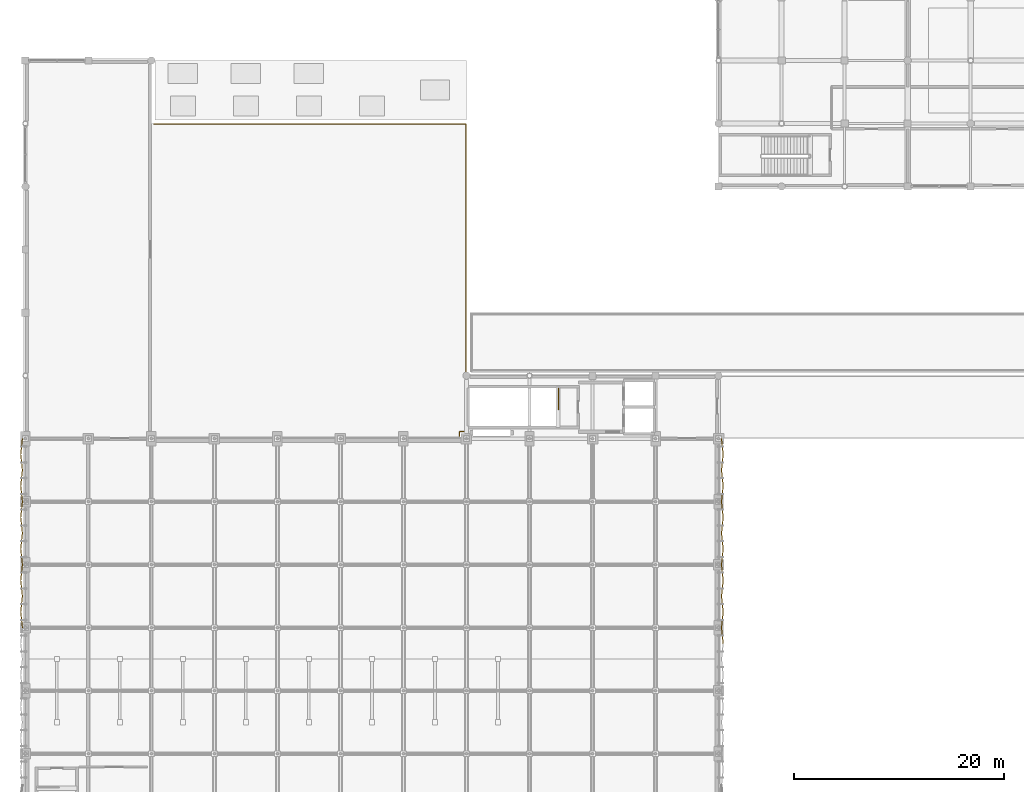
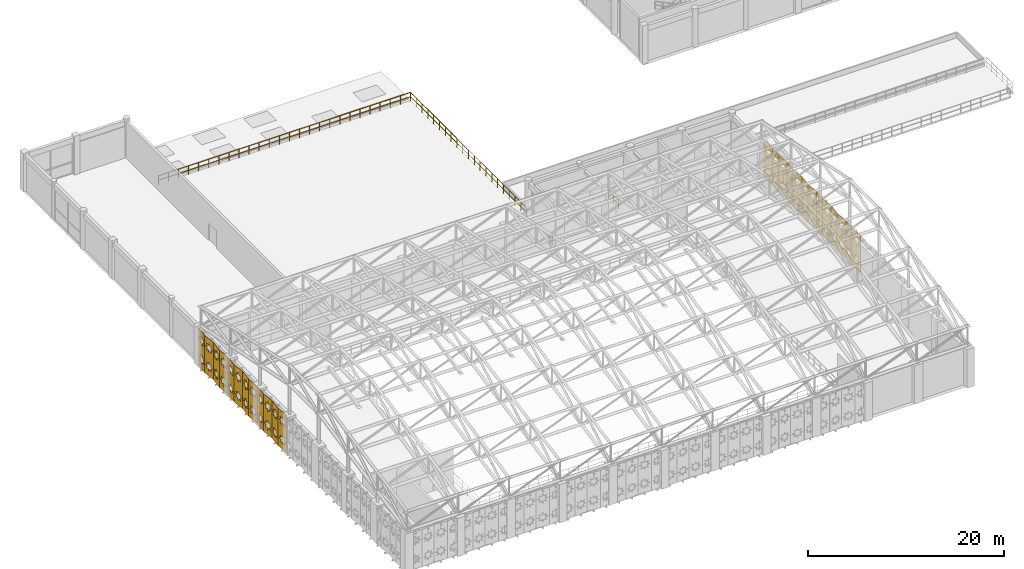
# One storey, part 108 of 112: 25 coverings, 3 railings.
"""IFC4 building model written with IfcOpenShell, lengths in metres."""

from ifc_helpers import new_model, si_unit, direction, frame, origin, origin_2d, place, context, subcontext, project, spatial, polyline, circle, outline, extrude, material, layer, layer_set, type_object, element, save


model = new_model("IFC4")

# Units and contexts
model_context = context("Model", 3, precision=1e-05, world=origin(), true_north=direction((0.0, 1.0)))
body_context = subcontext(model_context, "Body", "Model", "MODEL_VIEW")
ifc_project = project(units=[si_unit("LENGTHUNIT", "METRE"), si_unit("AREAUNIT", "SQUARE_METRE"), si_unit("VOLUMEUNIT", "CUBIC_METRE"), si_unit("PLANEANGLEUNIT", "RADIAN"), si_unit("MASSUNIT", "GRAM", prefix="KILO"), si_unit("THERMODYNAMICTEMPERATUREUNIT", "KELVIN"), si_unit("POWERUNIT", "WATT")], contexts=[model_context])

# Site, building, storey
site_placement = place(None, origin())
site = spatial("IfcSite", under=ifc_project, at=site_placement, CompositionType="ELEMENT")
building_placement = place(site_placement, origin())
building = spatial("IfcBuilding", under=site, at=building_placement, Name="Phaisarnlok Congress Hotel", CompositionType="ELEMENT")
storey_placement = place(building_placement, frame((0.0, 0.0, 19.800048828125)))
storey = spatial("IfcBuildingStorey", under=building, at=storey_placement, Name="L04", CompositionType="ELEMENT", Elevation=19.800048828125)

# Coverings
ifc_material_1 = material(Name="PVDF White Perforated Aluminium Alloy 5052", Category="aluminium")
ifc_layer = layer(ifc_material_1, 0.0400390625, Name="PVDF White Perforated Aluminium Alloy 5052")
ifc_layer_set = layer_set([ifc_layer], Name="PVDF White Perforated Aluminium Alloy 5052")
covering_type = type_object("IfcCoveringType", Name="COV-STAR-FOLD", PredefinedType="CLADDING", material=ifc_layer_set)
for number, where, z_axis, x_axis, name in (
    (1, (-0.300048828125, 66.0, 0.06005859375), (0.994517863207, 0.104566819602, 0.0), (-0.104566819602, 0.994517863207, 0.0), "Folded star-perforated hall screen SS-02 (V1W L04)"),
    (2, (-0.457763671875, 67.5, 0.06005859375), (0.994517863207, -0.104566819602, 0.0), (0.104566819602, 0.994517863207, 0.0), "Folded star-perforated hall screen SS-02 (V1W L04)"),
    (3, (-0.300048828125, 69.0, 0.06005859375), (0.994517863207, 0.104566819602, 0.0), (-0.104566819602, 0.994517863207, 0.0), "Folded star-perforated hall screen SS-02 (V1W L04)"),
    (4, (-0.457763671875, 70.5, 0.06005859375), (0.994517863207, -0.104566819602, 0.0), (0.104566819602, 0.994517863207, 0.0), "Folded star-perforated hall screen SS-02 (V1W L04)"),
    (5, (-0.300048828125, 72.0, 0.06005859375), (0.994517863207, 0.104566819602, 0.0), (-0.104566819602, 0.994517863207, 0.0), "Folded star-perforated hall screen SS-02 (V1W L04)"),
    (6, (-0.457763671875, 73.5, 0.06005859375), (0.994517863207, -0.104566819602, 0.0), (0.104566819602, 0.994517863207, 0.0), "Folded star-perforated hall screen SS-02 (V1W L04)"),
    (7, (-0.300048828125, 75.0, 0.06005859375), (0.994517863207, 0.104566819602, 0.0), (-0.104566819602, 0.994517863207, 0.0), "Folded star-perforated hall screen SS-02 (V1W L04)"),
    (8, (-0.457763671875, 76.5, 0.06005859375), (0.994517863207, -0.104566819602, 0.0), (0.104566819602, 0.994517863207, 0.0), "Folded star-perforated hall screen SS-02 (V1W L04)"),
    (9, (-0.300048828125, 78.0, 0.06005859375), (0.994517863207, 0.104566819602, 0.0), (-0.104566819602, 0.994517863207, 0.0), "Folded star-perforated hall screen SS-02 (V1W L04)"),
    (10, (-0.457763671875, 79.5, 0.06005859375), (0.994517863207, -0.104566819602, 0.0), (0.104566819602, 0.994517863207, 0.0), "Folded star-perforated hall screen SS-02 (V1W L04)"),
    (11, (-0.300048828125, 81.0, 0.06005859375), (0.994517863207, 0.104566819602, 0.0), (-0.104566819602, 0.994517863207, 0.0), "Folded star-perforated hall screen SS-02 (V1W L04)"),
    (12, (-0.457763671875, 82.5, 0.06005859375), (0.994517863207, -0.104566819602, 0.0), (0.104566819602, 0.994517863207, 0.0), "Folded star-perforated hall screen SS-02 (V1W L04)"),
    (13, (66.300048828125, 66.0, 0.06005859375), (-0.994517863207, -0.104566819602, 0.0), (0.104566819602, -0.994517863207, 0.0), "Folded star-perforated hall screen SS-02 (V1E L04)"),
    (14, (66.457763671875, 67.5, 0.06005859375), (-0.994517863207, 0.104566819602, 0.0), (-0.104566819602, -0.994517863207, 0.0), "Folded star-perforated hall screen SS-02 (V1E L04)"),
    (15, (66.300048828125, 69.0, 0.06005859375), (-0.994517863207, -0.104566819602, 0.0), (0.104566819602, -0.994517863207, 0.0), "Folded star-perforated hall screen SS-02 (V1E L04)"),
    (16, (66.457763671875, 70.5, 0.06005859375), (-0.994517863207, 0.104566819602, 0.0), (-0.104566819602, -0.994517863207, 0.0), "Folded star-perforated hall screen SS-02 (V1E L04)"),
    (17, (66.300048828125, 72.0, 0.06005859375), (-0.994517863207, -0.104566819602, 0.0), (0.104566819602, -0.994517863207, 0.0), "Folded star-perforated hall screen SS-02 (V1E L04)"),
    (18, (66.457763671875, 73.5, 0.06005859375), (-0.994517863207, 0.104566819602, 0.0), (-0.104566819602, -0.994517863207, 0.0), "Folded star-perforated hall screen SS-02 (V1E L04)"),
    (19, (66.300048828125, 75.0, 0.06005859375), (-0.994517863207, -0.104566819602, 0.0), (0.104566819602, -0.994517863207, 0.0), "Folded star-perforated hall screen SS-02 (V1E L04)"),
    (20, (66.457763671875, 76.5, 0.06005859375), (-0.994517863207, 0.104566819602, 0.0), (-0.104566819602, -0.994517863207, 0.0), "Folded star-perforated hall screen SS-02 (V1E L04)"),
    (21, (66.300048828125, 78.0, 0.06005859375), (-0.994517863207, -0.104566819602, 0.0), (0.104566819602, -0.994517863207, 0.0), "Folded star-perforated hall screen SS-02 (V1E L04)"),
    (22, (66.457763671875, 79.5, 0.06005859375), (-0.994517863207, 0.104566819602, 0.0), (-0.104566819602, -0.994517863207, 0.0), "Folded star-perforated hall screen SS-02 (V1E L04)"),
    (23, (66.300048828125, 81.0, 0.06005859375), (-0.994517863207, -0.104566819602, 0.0), (0.104566819602, -0.994517863207, 0.0), "Folded star-perforated hall screen SS-02 (V1E L04)"),
    (24, (66.457763671875, 82.5, 0.06005859375), (-0.994517863207, 0.104566819602, 0.0), (-0.104566819602, -0.994517863207, 0.0), "Folded star-perforated hall screen SS-02 (V1E L04)"),
    (25, (66.300048828125, 84.0, 0.06005859375), (-0.994517863207, -0.104566819602, 0.0), (0.104566819602, -0.994517863207, 0.0), "Folded star-perforated hall screen SS-02 (V1E L04)"),
):
    element("IfcCovering", number, at=place(storey_placement, frame(where, z_axis=z_axis, x_axis=x_axis)), inside=storey, type_object=covering_type, Name=name, PredefinedType="CLADDING", context=body_context, shape_type="SweptSolid", body=[
        extrude(outline(polyline([(0.0, 0.0), (1.5082685344258453, 0.0), (1.5082685344258453, 4.659912109375), (0.0, 4.659912109375), (0.0, 0.0)]), holes=[polyline([(1.0351, 1.0486), (1.2021, 0.7171), (0.8705, 0.8841), (0.7541, 0.5315), (0.6378, 0.8841), (0.3062, 0.7171), (0.4732, 1.0486), (0.1207, 1.165), (0.4732, 1.2814), (0.3062, 1.6129), (0.6378, 1.4459), (0.7541, 1.7985), (0.8705, 1.4459), (1.2021, 1.6129), (1.0351, 1.2814), (1.3876, 1.165), (1.0351, 1.0486)]), polyline([(1.0351, 3.3786), (1.2021, 3.0471), (0.8705, 3.2141), (0.7541, 2.8615), (0.6378, 3.2141), (0.3062, 3.0471), (0.4732, 3.3786), (0.1207, 3.495), (0.4732, 3.6114), (0.3062, 3.9429), (0.6378, 3.7759), (0.7541, 4.1285), (0.8705, 3.7759), (1.2021, 3.9429), (1.0351, 3.6114), (1.3876, 3.495), (1.0351, 3.3786)])]), origin(), (0.0, 0.0, 1.0), 0.0400390625),
    ])

# Railings
ifc_material_2 = material(Name="Painted Galvanised Steel S275", Category="steel")
railing_type_1 = type_object("IfcRailingType", Name="RLG-STR-GUARD", PredefinedType="BALUSTRADE", material=ifc_material_2)
railing_1_placement = place(storey_placement, frame((50.77001953125, 88.800048828125, 0.0)))
element("IfcRailing", 26, at=railing_1_placement, inside=storey, type_object=railing_type_1, Name="L04 ST-01 top well guard 1", PredefinedType="BALUSTRADE", context=body_context, shape_type="SweptSolid", body=[
    extrude(circle(Radius=0.02392578125, at=origin_2d()), frame((0.0, 0.0, 1.076171875), z_axis=(0.0, -1.0, 0.0), x_axis=(1.0, 0.0, 0.0)), (0.0, 0.0, 1.0), 2.02001953125),
    extrude(circle(Radius=0.02392578125, at=origin_2d()), frame((0.0, 0.0, 0.52587890625), z_axis=(0.0, -1.0, 0.0), x_axis=(1.0, 0.0, 0.0)), (0.0, 0.0, 1.0), 2.02001953125),
    extrude(circle(Radius=0.02099609375, at=origin_2d()), origin(), (0.0, 0.0, 1.0), 1.052001953125),
    extrude(circle(Radius=0.02099609375, at=origin_2d()), frame((0.0, -1.010009765625, 0.0)), (0.0, 0.0, 1.0), 1.052001953125),
    extrude(circle(Radius=0.02099609375, at=origin_2d()), frame((0.0, -2.02001953125, 0.0)), (0.0, 0.0, 1.0), 1.052001953125),
])
ifc_material_3 = material(Name="Laminated Glass & Stainless Steel Grade 316", Category="steel")
railing_type_2 = type_object("IfcRailingType", Name="RLG-TER-1100", PredefinedType="BALUSTRADE", material=ifc_material_3)
railing_2_placement = place(storey_placement, frame((12.239990234375, 113.93994140625, 0.0)))
element("IfcRailing", 27, at=railing_2_placement, inside=storey, type_object=railing_type_2, Name="Terrace balustrade guard GD-01 (L04 spa_sky_deck)", PredefinedType="BALUSTRADE", context=body_context, shape_type="SweptSolid", body=[
    extrude(circle(Radius=0.02392578125, at=origin_2d()), frame((0.0, 0.0, 1.076171875), z_axis=(1.0, 0.0, 0.0), x_axis=(0.0, 1.0, 0.0)), (0.0, 0.0, 1.0), 29.699951171875),
    extrude(circle(Radius=0.02392578125, at=origin_2d()), frame((0.0, 0.0, 0.52587890625), z_axis=(1.0, 0.0, 0.0), x_axis=(0.0, 1.0, 0.0)), (0.0, 0.0, 1.0), 29.699951171875),
    extrude(circle(Radius=0.02392578125, at=origin_2d()), frame((29.699951171875, 0.0, 1.076171875), z_axis=(0.0, -1.0, 0.0), x_axis=(1.0, 0.0, 0.0)), (0.0, 0.0, 1.0), 23.707763671875),
    extrude(circle(Radius=0.02392578125, at=origin_2d()), frame((29.699951171875, 0.0, 0.52587890625), z_axis=(0.0, -1.0, 0.0), x_axis=(1.0, 0.0, 0.0)), (0.0, 0.0, 1.0), 23.707763671875),
    extrude(circle(Radius=0.02099609375, at=origin_2d()), origin(), (0.0, 0.0, 1.0), 1.052001953125),
    extrude(circle(Radius=0.02099609375, at=origin_2d()), frame((1.18798828125, 0.0, 0.0)), (0.0, 0.0, 1.0), 1.052001953125),
    extrude(circle(Radius=0.02099609375, at=origin_2d()), frame((2.3759765625, 0.0, 0.0)), (0.0, 0.0, 1.0), 1.052001953125),
    extrude(circle(Radius=0.02099609375, at=origin_2d()), frame((3.56396484375, 0.0, 0.0)), (0.0, 0.0, 1.0), 1.052001953125),
    extrude(circle(Radius=0.02099609375, at=origin_2d()), frame((4.751953125, 0.0, 0.0)), (0.0, 0.0, 1.0), 1.052001953125),
    extrude(circle(Radius=0.02099609375, at=origin_2d()), frame((5.93994140625, 0.0, 0.0)), (0.0, 0.0, 1.0), 1.052001953125),
    extrude(circle(Radius=0.02099609375, at=origin_2d()), frame((7.1279296875, 0.0, 0.0)), (0.0, 0.0, 1.0), 1.052001953125),
    extrude(circle(Radius=0.02099609375, at=origin_2d()), frame((8.31591796875, 0.0, 0.0)), (0.0, 0.0, 1.0), 1.052001953125),
    extrude(circle(Radius=0.02099609375, at=origin_2d()), frame((9.50390625, 0.0, 0.0)), (0.0, 0.0, 1.0), 1.052001953125),
    extrude(circle(Radius=0.02099609375, at=origin_2d()), frame((10.69189453125, 0.0, 0.0)), (0.0, 0.0, 1.0), 1.052001953125),
    extrude(circle(Radius=0.02099609375, at=origin_2d()), frame((11.8798828125, 0.0, 0.0)), (0.0, 0.0, 1.0), 1.052001953125),
    extrude(circle(Radius=0.02099609375, at=origin_2d()), frame((13.06787109375, 0.0, 0.0)), (0.0, 0.0, 1.0), 1.052001953125),
    extrude(circle(Radius=0.02099609375, at=origin_2d()), frame((14.255859375, 0.0, 0.0)), (0.0, 0.0, 1.0), 1.052001953125),
    extrude(circle(Radius=0.02099609375, at=origin_2d()), frame((15.444091796875, 0.0, 0.0)), (0.0, 0.0, 1.0), 1.052001953125),
    extrude(circle(Radius=0.02099609375, at=origin_2d()), frame((16.632080078125, 0.0, 0.0)), (0.0, 0.0, 1.0), 1.052001953125),
    extrude(circle(Radius=0.02099609375, at=origin_2d()), frame((17.820068359375, 0.0, 0.0)), (0.0, 0.0, 1.0), 1.052001953125),
    extrude(circle(Radius=0.02099609375, at=origin_2d()), frame((19.008056640625, 0.0, 0.0)), (0.0, 0.0, 1.0), 1.052001953125),
    extrude(circle(Radius=0.02099609375, at=origin_2d()), frame((20.196044921875, 0.0, 0.0)), (0.0, 0.0, 1.0), 1.052001953125),
    extrude(circle(Radius=0.02099609375, at=origin_2d()), frame((21.384033203125, 0.0, 0.0)), (0.0, 0.0, 1.0), 1.052001953125),
    extrude(circle(Radius=0.02099609375, at=origin_2d()), frame((22.572021484375, 0.0, 0.0)), (0.0, 0.0, 1.0), 1.052001953125),
    extrude(circle(Radius=0.02099609375, at=origin_2d()), frame((23.760009765625, 0.0, 0.0)), (0.0, 0.0, 1.0), 1.052001953125),
    extrude(circle(Radius=0.02099609375, at=origin_2d()), frame((24.947998046875, 0.0, 0.0)), (0.0, 0.0, 1.0), 1.052001953125),
    extrude(circle(Radius=0.02099609375, at=origin_2d()), frame((26.135986328125, 0.0, 0.0)), (0.0, 0.0, 1.0), 1.052001953125),
    extrude(circle(Radius=0.02099609375, at=origin_2d()), frame((27.323974609375, 0.0, 0.0)), (0.0, 0.0, 1.0), 1.052001953125),
    extrude(circle(Radius=0.02099609375, at=origin_2d()), frame((28.511962890625, 0.0, 0.0)), (0.0, 0.0, 1.0), 1.052001953125),
    extrude(circle(Radius=0.02099609375, at=origin_2d()), frame((29.699951171875, 0.0, 0.0)), (0.0, 0.0, 1.0), 1.052001953125),
    extrude(circle(Radius=0.02099609375, at=origin_2d()), frame((29.699951171875, -1.185302734375, 0.0)), (0.0, 0.0, 1.0), 1.052001953125),
    extrude(circle(Radius=0.02099609375, at=origin_2d()), frame((29.699951171875, -2.370849609375, 0.0)), (0.0, 0.0, 1.0), 1.052001953125),
    extrude(circle(Radius=0.02099609375, at=origin_2d()), frame((29.699951171875, -3.55615234375, 0.0)), (0.0, 0.0, 1.0), 1.052001953125),
    extrude(circle(Radius=0.02099609375, at=origin_2d()), frame((29.699951171875, -4.741455078125, 0.0)), (0.0, 0.0, 1.0), 1.052001953125),
    extrude(circle(Radius=0.02099609375, at=origin_2d()), frame((29.699951171875, -5.927001953125, 0.0)), (0.0, 0.0, 1.0), 1.052001953125),
    extrude(circle(Radius=0.02099609375, at=origin_2d()), frame((29.699951171875, -7.1123046875, 0.0)), (0.0, 0.0, 1.0), 1.052001953125),
    extrude(circle(Radius=0.02099609375, at=origin_2d()), frame((29.699951171875, -8.297607421875, 0.0)), (0.0, 0.0, 1.0), 1.052001953125),
    extrude(circle(Radius=0.02099609375, at=origin_2d()), frame((29.699951171875, -9.483154296875, 0.0)), (0.0, 0.0, 1.0), 1.052001953125),
    extrude(circle(Radius=0.02099609375, at=origin_2d()), frame((29.699951171875, -10.66845703125, 0.0)), (0.0, 0.0, 1.0), 1.052001953125),
    extrude(circle(Radius=0.02099609375, at=origin_2d()), frame((29.699951171875, -11.85400390625, 0.0)), (0.0, 0.0, 1.0), 1.052001953125),
    extrude(circle(Radius=0.02099609375, at=origin_2d()), frame((29.699951171875, -13.039306640625, 0.0)), (0.0, 0.0, 1.0), 1.052001953125),
    extrude(circle(Radius=0.02099609375, at=origin_2d()), frame((29.699951171875, -14.224609375, 0.0)), (0.0, 0.0, 1.0), 1.052001953125),
    extrude(circle(Radius=0.02099609375, at=origin_2d()), frame((29.699951171875, -15.41015625, 0.0)), (0.0, 0.0, 1.0), 1.052001953125),
    extrude(circle(Radius=0.02099609375, at=origin_2d()), frame((29.699951171875, -16.595458984375, 0.0)), (0.0, 0.0, 1.0), 1.052001953125),
    extrude(circle(Radius=0.02099609375, at=origin_2d()), frame((29.699951171875, -17.78076171875, 0.0)), (0.0, 0.0, 1.0), 1.052001953125),
    extrude(circle(Radius=0.02099609375, at=origin_2d()), frame((29.699951171875, -18.96630859375, 0.0)), (0.0, 0.0, 1.0), 1.052001953125),
    extrude(circle(Radius=0.02099609375, at=origin_2d()), frame((29.699951171875, -20.151611328125, 0.0)), (0.0, 0.0, 1.0), 1.052001953125),
    extrude(circle(Radius=0.02099609375, at=origin_2d()), frame((29.699951171875, -21.3369140625, 0.0)), (0.0, 0.0, 1.0), 1.052001953125),
    extrude(circle(Radius=0.02099609375, at=origin_2d()), frame((29.699951171875, -22.5224609375, 0.0)), (0.0, 0.0, 1.0), 1.052001953125),
    extrude(circle(Radius=0.02099609375, at=origin_2d()), frame((29.699951171875, -23.707763671875, 0.0)), (0.0, 0.0, 1.0), 1.052001953125),
])
railing_3_placement = place(storey_placement, frame((41.760009765625, 84.659912109375, 0.0)))
element("IfcRailing", 28, at=railing_3_placement, inside=storey, type_object=railing_type_2, Name="Terrace balustrade guard GD-01 (L04 spa_sky_deck)", PredefinedType="BALUSTRADE", context=body_context, shape_type="SweptSolid", body=[
    extrude(circle(Radius=0.02392578125, at=origin_2d()), frame((0.0, 0.0, 1.076171875), z_axis=(-1.0, 0.0, 0.0), x_axis=(0.0, -1.0, 0.0)), (0.0, 0.0, 1.0), 0.419921875),
    extrude(circle(Radius=0.02392578125, at=origin_2d()), frame((0.0, 0.0, 0.52587890625), z_axis=(-1.0, 0.0, 0.0), x_axis=(0.0, -1.0, 0.0)), (0.0, 0.0, 1.0), 0.419921875),
    extrude(circle(Radius=0.02392578125, at=origin_2d()), frame((-0.419921875, 0.0, 1.076171875), z_axis=(0.0, -1.0, 0.0), x_axis=(1.0, 0.0, 0.0)), (0.0, 0.0, 1.0), 0.419921875),
    extrude(circle(Radius=0.02392578125, at=origin_2d()), frame((-0.419921875, 0.0, 0.52587890625), z_axis=(0.0, -1.0, 0.0), x_axis=(1.0, 0.0, 0.0)), (0.0, 0.0, 1.0), 0.419921875),
    extrude(circle(Radius=0.02099609375, at=origin_2d()), origin(), (0.0, 0.0, 1.0), 1.052001953125),
    extrude(circle(Radius=0.02099609375, at=origin_2d()), frame((-0.419921875, 0.0, 0.0)), (0.0, 0.0, 1.0), 1.052001953125),
    extrude(circle(Radius=0.02099609375, at=origin_2d()), frame((-0.419921875, -0.419921875, 0.0)), (0.0, 0.0, 1.0), 1.052001953125),
])

save(model, "model.ifc")
